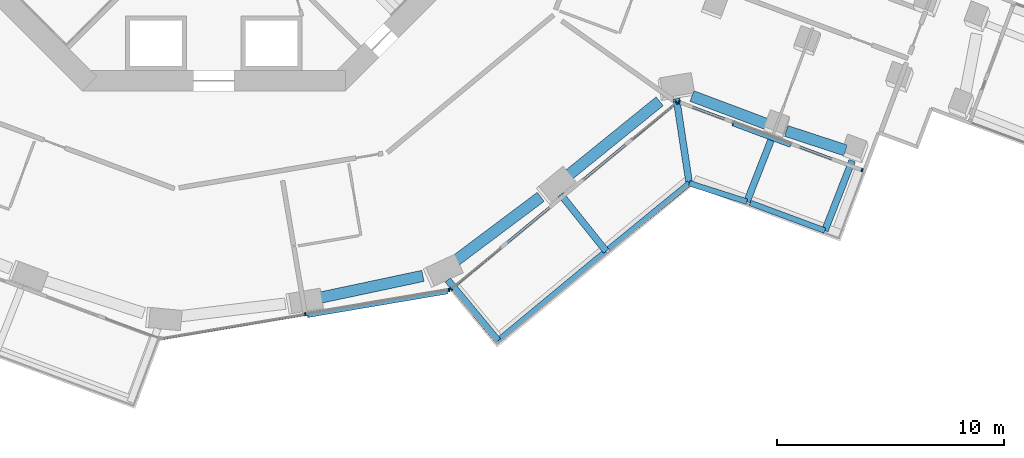
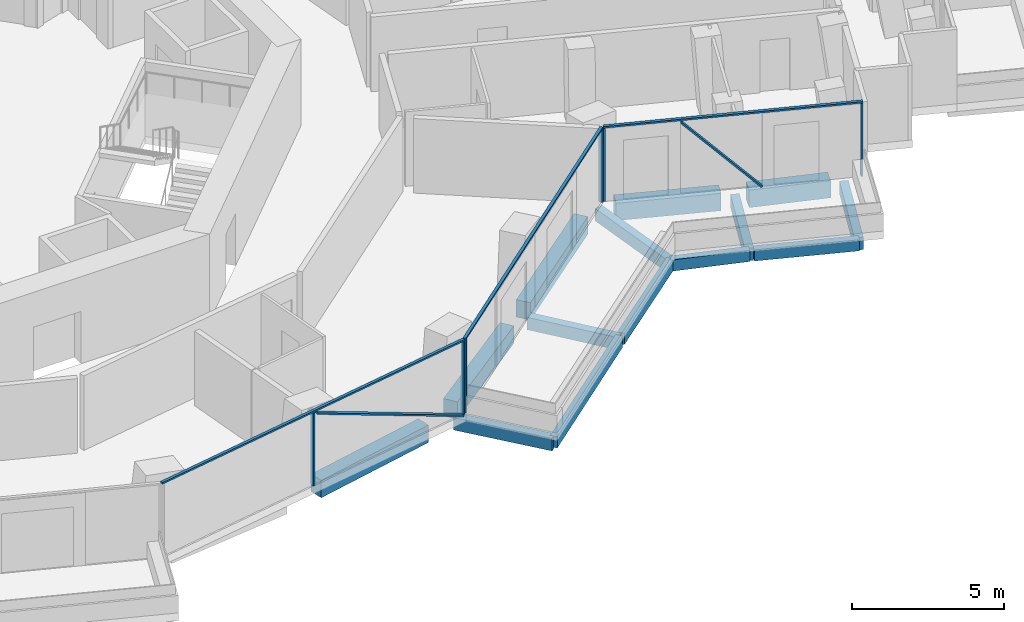
# One storey, part 5 of 27: 14 beams, 11 members, 3 elements without a shape of their own.
"""IFC4 building model written with IfcOpenShell, lengths in metres."""

from ifc_helpers import new_model, si_unit, direction, frame, origin, origin_2d, place, context, subcontext, project, spatial, rectangle, extrude, material, layer, layer_set, material_profile, profile_set, type_object, element, aggregate, save


model = new_model("IFC4")

# Units and contexts
model_context = context("Model", 3, precision=1e-05, world=origin(), true_north=direction((0.0, 1.0)))
body_context = subcontext(model_context, "Body", "Model", "MODEL_VIEW")
ifc_project = project(units=[si_unit("LENGTHUNIT", "METRE"), si_unit("AREAUNIT", "SQUARE_METRE"), si_unit("VOLUMEUNIT", "CUBIC_METRE"), si_unit("PLANEANGLEUNIT", "RADIAN"), si_unit("MASSUNIT", "GRAM", prefix="KILO")], contexts=[model_context])

# Site, building, storey
site_placement = place(None, origin())
site = spatial("IfcSite", under=ifc_project, at=site_placement, CompositionType="ELEMENT")
building_placement = place(site_placement, origin())
building = spatial("IfcBuilding", under=site, at=building_placement, Name="Verdalira Terraces Hotel", CompositionType="ELEMENT")
storey_placement = place(building_placement, frame((0.0, 0.0, 71.5)))
storey = spatial("IfcBuildingStorey", under=building, at=storey_placement, Name="L16", CompositionType="ELEMENT", Elevation=71.5)

# Beams
ifc_material_1 = material(Name="Concrete C40", Category="concrete")
ifc_material_profile_1 = material_profile(ifc_material_1, rectangle(XDim=0.300049, YDim=0.5, at=origin_2d()), Name="RC 300X500")
ifc_profile_set_1 = profile_set([ifc_material_profile_1], Name="Concrete C40")
beam_type_1 = type_object("IfcBeamType", Name="Balcony cantilever beam RC 300X500 C40", PredefinedType="BEAM", material=ifc_profile_set_1)
beam_1_placement = place(storey_placement, frame((10.319336, -22.334473, -0.560059), z_axis=(0.637441048, -0.770499131, 0.0), x_axis=(0.770499131, 0.637441048, 0.0)))
element("IfcBeam", 1, at=beam_1_placement, inside=storey, type_object=beam_type_1, Name="Balcony cantilever beam R27-1", PredefinedType="BEAM", context=body_context, shape_type="SweptSolid", body=[
    extrude(rectangle(XDim=0.300049, YDim=0.5, at=origin_2d()), origin(), (0.0, 0.0, 1.0), 3.471436),
])
beam_2_placement = place(storey_placement, frame((15.302246, -18.564209, -0.560059), z_axis=(0.624462474, -0.781054811, 0.0), x_axis=(0.781054811, 0.624462474, 0.0)))
element("IfcBeam", 2, at=beam_2_placement, inside=storey, type_object=beam_type_1, Name="Balcony cantilever beam R27-2", PredefinedType="BEAM", context=body_context, shape_type="SweptSolid", body=[
    extrude(rectangle(XDim=0.300049, YDim=0.5, at=origin_2d()), origin(), (0.0, 0.0, 1.0), 3.200684),
])
beam_3_placement = place(storey_placement, frame((20.402344, -14.339844, -0.560059), z_axis=(0.150246603, -0.988648551, 0.0), x_axis=(0.988648551, 0.150246603, 0.0)))
element("IfcBeam", 3, at=beam_3_placement, inside=storey, type_object=beam_type_1, Name="Balcony cantilever beam R27-3", PredefinedType="BEAM", context=body_context, shape_type="SweptSolid", body=[
    extrude(rectangle(XDim=0.300049, YDim=0.5, at=origin_2d()), origin(), (0.0, 0.0, 1.0), 3.769775),
])
beam_4_placement = place(storey_placement, frame((24.661865, -15.938721, -0.560059), z_axis=(-0.364221522, -0.931312344, 0.0), x_axis=(0.931312344, -0.364221522, 0.0)))
element("IfcBeam", 4, at=beam_4_placement, inside=storey, type_object=beam_type_1, Name="Balcony cantilever beam R27-4", PredefinedType="BEAM", context=body_context, shape_type="SweptSolid", body=[
    extrude(rectangle(XDim=0.300049, YDim=0.5, at=origin_2d()), origin(), (0.0, 0.0, 1.0), 3.157715),
])
beam_5_placement = place(storey_placement, frame((28.154053, -17.072998, -0.560059), z_axis=(-0.36422424, -0.931311282, 0.0), x_axis=(0.931311282, -0.36422424, 0.0)))
element("IfcBeam", 5, at=beam_5_placement, inside=storey, type_object=beam_type_1, Name="Balcony cantilever beam R27-5", PredefinedType="BEAM", context=body_context, shape_type="SweptSolid", body=[
    extrude(rectangle(XDim=0.300049, YDim=0.5, at=origin_2d()), origin(), (0.0, 0.0, 1.0), 3.312012),
])
ifc_material_2 = material(Name="Concrete C40", Category="concrete")
ifc_material_profile_2 = material_profile(ifc_material_2, rectangle(XDim=0.25, YDim=0.449951, at=origin_2d()), Name="RC 250X450")
ifc_profile_set_2 = profile_set([ifc_material_profile_2], Name="Concrete C40")
beam_type_2 = type_object("IfcBeamType", Name="Balcony edge beam RC 250X450 C40", PredefinedType="BEAM", material=ifc_profile_set_2)
beam_6_placement = place(storey_placement, frame((12.532227, -25.009277, -0.534912), z_axis=(0.770515237, 0.637421579, 0.0), x_axis=(-0.637421579, 0.770515237, 0.0)))
element("IfcBeam", 6, at=beam_6_placement, inside=storey, type_object=beam_type_2, Name="Balcony edge beam R27-1", PredefinedType="BEAM", context=body_context, shape_type="SweptSolid", body=[
    extrude(rectangle(XDim=0.25, YDim=0.449951, at=origin_2d()), origin(), (0.0, 0.0, 1.0), 6.189209),
])
beam_7_placement = place(storey_placement, frame((17.417236, -20.969238, -0.534912), z_axis=(0.774324766, 0.632788398, 0.0), x_axis=(-0.632788398, 0.774324766, 0.0)))
element("IfcBeam", 7, at=beam_7_placement, inside=storey, type_object=beam_type_2, Name="Balcony edge beam R27-2", PredefinedType="BEAM", context=body_context, shape_type="SweptSolid", body=[
    extrude(rectangle(XDim=0.25, YDim=0.449951, at=origin_2d()), origin(), (0.0, 0.0, 1.0), 4.58667),
])
beam_8_placement = place(storey_placement, frame((20.96875, -18.066895, -0.534912), z_axis=(0.952533453, -0.304433935, 0.0), x_axis=(0.304433935, 0.952533453, 0.0)))
element("IfcBeam", 8, at=beam_8_placement, inside=storey, type_object=beam_type_2, Name="Balcony edge beam R27-3", PredefinedType="BEAM", context=body_context, shape_type="SweptSolid", body=[
    extrude(rectangle(XDim=0.25, YDim=0.449951, at=origin_2d()), origin(), (0.0, 0.0, 1.0), 2.669678),
])
beam_9_placement = place(storey_placement, frame((23.652344, -18.931885, -0.534912), z_axis=(0.937278841, -0.348580514, 0.0), x_axis=(0.348580514, 0.937278841, 0.0)))
element("IfcBeam", 9, at=beam_9_placement, inside=storey, type_object=beam_type_2, Name="Balcony edge beam R27-4", PredefinedType="BEAM", context=body_context, shape_type="SweptSolid", body=[
    extrude(rectangle(XDim=0.25, YDim=0.449951, at=origin_2d()), origin(), (0.0, 0.0, 1.0), 3.515869),
])

# Curtain wall, members
ifc_material_3 = material(Name="Clear glass", Category="glass")
ifc_layer_1 = layer(ifc_material_3, 0.14990234375)
ifc_layer_set_1 = layer_set([ifc_layer_1], Name="CW1 curtain wall")
curtain_wall_type_1 = type_object("IfcCurtainWallType", Name="CW1 curtain wall", PredefinedType="NOTDEFINED", material=ifc_layer_set_1)
curtain_wall_1_placement = place(storey_placement, origin())
curtain_wall_1 = element("IfcCurtainWall", 10, at=curtain_wall_1_placement, inside=storey, type_object=curtain_wall_type_1, Name="CW1 curtain wall L16 edge 26", PredefinedType="NOTDEFINED")
ifc_material_4 = material(Name="Terracotta frame", Category="masonry")
ifc_material_profile_3 = material_profile(ifc_material_4, rectangle(XDim=0.060059, YDim=0.149902, at=origin_2d()), Name="MU 60x150")
ifc_profile_set_3 = profile_set([ifc_material_profile_3], Name="Terracotta frame")
member_type_1 = type_object("IfcMemberType", Name="CW1 mullion 60x150", PredefinedType="MULLION", material=ifc_profile_set_3)
member_1_placement = place(storey_placement, frame((4.032959, -23.844727, 0.0), z_axis=(0.0, 0.0, 1.0), x_axis=(0.985996037, 0.166768747, 0.0)))
member_1 = element("IfcMember", 11, at=member_1_placement, type_object=member_type_1, Name="CW1 mullion", PredefinedType="MULLION", context=body_context, shape_type="SweptSolid", body=[
    extrude(rectangle(XDim=0.060059, YDim=0.149902, at=origin_2d()), origin(), (0.0, 0.0, 1.0), 2.935059),
])
member_2_placement = place(storey_placement, frame((10.372803, -22.772461, 0.0), z_axis=(0.0, 0.0, 1.0), x_axis=(0.985996037, 0.166768747, 0.0)))
member_2 = element("IfcMember", 12, at=member_2_placement, type_object=member_type_1, Name="CW1 mullion", PredefinedType="MULLION", context=body_context, shape_type="SweptSolid", body=[
    extrude(rectangle(XDim=0.060059, YDim=0.149902, at=origin_2d()), origin(), (0.0, 0.0, 1.0), 2.935059),
])

curtain_wall_2_placement = place(storey_placement, origin())
curtain_wall_2 = element("IfcCurtainWall", 13, at=curtain_wall_2_placement, inside=storey, type_object=curtain_wall_type_1, Name="CW1 curtain wall L16 edge 27", PredefinedType="NOTDEFINED")
member_3_placement = place(storey_placement, frame((10.460693, -22.732178, 0.0), z_axis=(0.0, 0.0, 1.0), x_axis=(0.770513243, 0.63742399, 0.0)))
member_3 = element("IfcMember", 14, at=member_3_placement, type_object=member_type_1, Name="CW1 mullion", PredefinedType="MULLION", context=body_context, shape_type="SweptSolid", body=[
    extrude(rectangle(XDim=0.060059, YDim=0.149902, at=origin_2d()), origin(), (0.0, 0.0, 1.0), 2.935059),
])
member_4_placement = place(storey_placement, frame((20.400146, -14.509521, 0.0), z_axis=(0.0, 0.0, 1.0), x_axis=(0.770513243, 0.63742399, 0.0)))
member_4 = element("IfcMember", 15, at=member_4_placement, type_object=member_type_1, Name="CW1 mullion", PredefinedType="MULLION", context=body_context, shape_type="SweptSolid", body=[
    extrude(rectangle(XDim=0.060059, YDim=0.149902, at=origin_2d()), origin(), (0.0, 0.0, 1.0), 2.935059),
])

# Member
ifc_material_5 = material(Name="Terracotta frame", Category="masonry")
ifc_material_profile_4 = material_profile(ifc_material_5, rectangle(XDim=0.110107, YDim=0.064941, at=origin_2d()), Name="TR 65x110")
ifc_profile_set_4 = profile_set([ifc_material_profile_4], Name="Terracotta frame")
member_type_2 = type_object("IfcMemberType", Name="CW1 transom 65x110", PredefinedType="USERDEFINED", material=ifc_profile_set_4)
member_5_placement = place(storey_placement, frame((-2.336426, -24.921875, 2.967529), z_axis=(0.985996808, 0.166764189, 0.0), x_axis=(-0.166764189, 0.985996808, 0.0)))
member_5 = element("IfcMember", 16, at=member_5_placement, type_object=member_type_2, Name="CW1 transom", ObjectType="TRANSOM", PredefinedType="USERDEFINED", context=body_context, shape_type="SweptSolid", body=[
    extrude(rectangle(XDim=0.110107, YDim=0.064941, at=origin_2d()), origin(), (0.0, 0.0, 1.0), 12.919678),
])

member_6_placement = place(storey_placement, frame((10.437744, -22.751221, 2.967529), z_axis=(0.770506302, 0.637432379, 0.0), x_axis=(-0.637432379, 0.770506302, 0.0)))
member_6 = element("IfcMember", 17, at=member_6_placement, type_object=member_type_2, Name="CW1 transom", ObjectType="TRANSOM", PredefinedType="USERDEFINED", context=body_context, shape_type="SweptSolid", body=[
    extrude(rectangle(XDim=0.110107, YDim=0.064941, at=origin_2d()), origin(), (0.0, 0.0, 1.0), 12.959717),
])

aggregate(curtain_wall_2, [member_3, member_4, member_6])

# Curtain wall, members
ifc_material_6 = material(Name="Clear glass", Category="glass")
ifc_layer_2 = layer(ifc_material_6, 0.14990234375)
ifc_layer_set_2 = layer_set([ifc_layer_2], Name="CW2 curtain wall")
curtain_wall_type_2 = type_object("IfcCurtainWallType", Name="CW2 curtain wall", PredefinedType="NOTDEFINED", material=ifc_layer_set_2)
curtain_wall_3_placement = place(storey_placement, origin())
curtain_wall_3 = element("IfcCurtainWall", 18, at=curtain_wall_3_placement, inside=storey, type_object=curtain_wall_type_2, Name="CW2 curtain wall L16 edge 28", PredefinedType="NOTDEFINED")
ifc_material_7 = material(Name="Terracotta frame", Category="masonry")
ifc_material_profile_5 = material_profile(ifc_material_7, rectangle(XDim=0.070068, YDim=0.149902, at=origin_2d()), Name="MU 70x150")
ifc_profile_set_5 = profile_set([ifc_material_profile_5], Name="Terracotta frame")
member_type_3 = type_object("IfcMemberType", Name="CW2 mullion 70x150", PredefinedType="MULLION", material=ifc_profile_set_5)
member_7_placement = place(storey_placement, frame((20.530029, -14.48999, 0.0), z_axis=(0.0, 0.0, 1.0), x_axis=(0.937281989, -0.348572047, 0.0)))
member_7 = element("IfcMember", 19, at=member_7_placement, type_object=member_type_3, Name="CW2 mullion", PredefinedType="MULLION", context=body_context, shape_type="SweptSolid", body=[
    extrude(rectangle(XDim=0.070068, YDim=0.149902, at=origin_2d()), origin(), (0.0, 0.0, 1.0), 2.935059),
])
member_8_placement = place(storey_placement, frame((28.590576, -17.487549, 0.0), z_axis=(0.0, 0.0, 1.0), x_axis=(0.937281989, -0.348572047, 0.0)))
member_8 = element("IfcMember", 20, at=member_8_placement, type_object=member_type_3, Name="CW2 mullion", PredefinedType="MULLION", context=body_context, shape_type="SweptSolid", body=[
    extrude(rectangle(XDim=0.070068, YDim=0.149902, at=origin_2d()), origin(), (0.0, 0.0, 1.0), 2.935059),
])
ifc_material_8 = material(Name="Terracotta frame", Category="masonry")
ifc_material_profile_6 = material_profile(ifc_material_8, rectangle(XDim=0.11499, YDim=0.064941, at=origin_2d()), Name="TR 65x115")
ifc_profile_set_6 = profile_set([ifc_material_profile_6], Name="Terracotta frame")
member_type_4 = type_object("IfcMemberType", Name="CW2 transom 65x115", PredefinedType="USERDEFINED", material=ifc_profile_set_6)
member_9_placement = place(storey_placement, frame((20.497314, -14.477783, 2.967529), z_axis=(0.937283909, -0.348566886, 0.0), x_axis=(0.348566886, 0.937283909, 0.0)))
member_9 = element("IfcMember", 21, at=member_9_placement, type_object=member_type_4, Name="CW2 transom", ObjectType="TRANSOM", PredefinedType="USERDEFINED", context=body_context, shape_type="SweptSolid", body=[
    extrude(rectangle(XDim=0.11499, YDim=0.064941, at=origin_2d()), origin(), (0.0, 0.0, 1.0), 8.669678),
])

# Member
ifc_material_9 = material(Name="Terracotta frame", Category="masonry")
ifc_material_profile_7 = material_profile(ifc_material_9, rectangle(XDim=0.149902, YDim=0.060059, at=origin_2d()), Name="GB 60x150")
ifc_profile_set_7 = profile_set([ifc_material_profile_7], Name="Terracotta frame")
member_type_5 = type_object("IfcMemberType", Name="Diagonal glazing bar 60x150", PredefinedType="USERDEFINED", material=ifc_profile_set_7)
member_10_placement = place(storey_placement, frame((4.137451, -23.917236, 2.906982), z_axis=(0.895501803, 0.151468382, -0.418489964), x_axis=(-0.16677473, 0.985995025, 0.0)))
member_10 = element("IfcMember", 22, at=member_10_placement, type_object=member_type_5, Name="Diagonal glazing bar", ObjectType="GLAZING BAR", PredefinedType="USERDEFINED", context=body_context, shape_type="SweptSolid", body=[
    extrude(rectangle(XDim=0.149902, YDim=0.060059, at=origin_2d()), origin(), (0.0, 0.0, 1.0), 6.87915),
])

aggregate(curtain_wall_1, [member_1, member_2, member_5, member_10])

member_11_placement = place(storey_placement, frame((22.893066, -15.46582, 2.909912), z_axis=(0.63914699, -0.237683947, -0.73143521), x_axis=(0.348555702, 0.937288068, 0.0)))
member_11 = element("IfcMember", 23, at=member_11_placement, type_object=member_type_5, Name="Diagonal glazing bar", ObjectType="GLAZING BAR", PredefinedType="USERDEFINED", context=body_context, shape_type="SweptSolid", body=[
    extrude(rectangle(XDim=0.149902, YDim=0.060059, at=origin_2d()), origin(), (0.0, 0.0, 1.0), 3.944336),
])

aggregate(curtain_wall_3, [member_7, member_8, member_9, member_11])

# Beams
ifc_material_10 = material(Name="Concrete C70", Category="concrete")
ifc_material_profile_8 = material_profile(ifc_material_10, rectangle(XDim=0.5, YDim=0.699951, at=origin_2d()), Name="RC 500X700")
ifc_profile_set_8 = profile_set([ifc_material_profile_8], Name="Concrete C70")
beam_type_3 = type_object("IfcBeamType", Name="Spandrel beam RC 500X700 C70", PredefinedType="SPANDREL", material=ifc_profile_set_8)
beam_10_placement = place(storey_placement, frame((4.572754, -23.138916, -0.659912), z_axis=(0.97821075, 0.207614374, 0.0), x_axis=(-0.207614374, 0.97821075, 0.0)))
element("IfcBeam", 24, at=beam_10_placement, inside=storey, type_object=beam_type_3, Name="Spandrel beam B22", PredefinedType="SPANDREL", context=body_context, shape_type="SweptSolid", body=[
    extrude(rectangle(XDim=0.5, YDim=0.699951, at=origin_2d()), origin(), (0.0, 0.0, 1.0), 4.755371),
])
beam_11_placement = place(storey_placement, frame((10.611816, -21.52002, -0.659912), z_axis=(0.800141568, 0.599811196, 0.0), x_axis=(-0.599811196, 0.800141568, 0.0)))
element("IfcBeam", 25, at=beam_11_placement, inside=storey, type_object=beam_type_3, Name="Spandrel beam B23", PredefinedType="SPANDREL", context=body_context, shape_type="SweptSolid", body=[
    extrude(rectangle(XDim=0.5, YDim=0.699951, at=origin_2d()), origin(), (0.0, 0.0, 1.0), 4.759033),
])
beam_12_placement = place(storey_placement, frame((15.536865, -17.79541, -0.659912), z_axis=(0.777115351, 0.629358189, 0.0), x_axis=(-0.629358189, 0.777115351, 0.0)))
element("IfcBeam", 26, at=beam_12_placement, inside=storey, type_object=beam_type_3, Name="Spandrel beam B24", PredefinedType="SPANDREL", context=body_context, shape_type="SweptSolid", body=[
    extrude(rectangle(XDim=0.5, YDim=0.699951, at=origin_2d()), origin(), (0.0, 0.0, 1.0), 5.312256),
])
beam_13_placement = place(storey_placement, frame((21.088867, -14.220947, -0.659912), z_axis=(0.936140372, -0.351626511, 0.0), x_axis=(0.351626511, 0.936140372, 0.0)))
element("IfcBeam", 27, at=beam_13_placement, inside=storey, type_object=beam_type_3, Name="Spandrel beam B25", PredefinedType="SPANDREL", context=body_context, shape_type="SweptSolid", body=[
    extrude(rectangle(XDim=0.5, YDim=0.699951, at=origin_2d()), origin(), (0.0, 0.0, 1.0), 3.509766),
])
beam_14_placement = place(storey_placement, frame((25.249268, -15.761963, -0.659912), z_axis=(0.950479684, -0.310786694, 0.0), x_axis=(0.310786694, 0.950479684, 0.0)))
element("IfcBeam", 28, at=beam_14_placement, inside=storey, type_object=beam_type_3, Name="Spandrel beam B26", PredefinedType="SPANDREL", context=body_context, shape_type="SweptSolid", body=[
    extrude(rectangle(XDim=0.5, YDim=0.699951, at=origin_2d()), origin(), (0.0, 0.0, 1.0), 2.748779),
])

save(model, "model.ifc")
